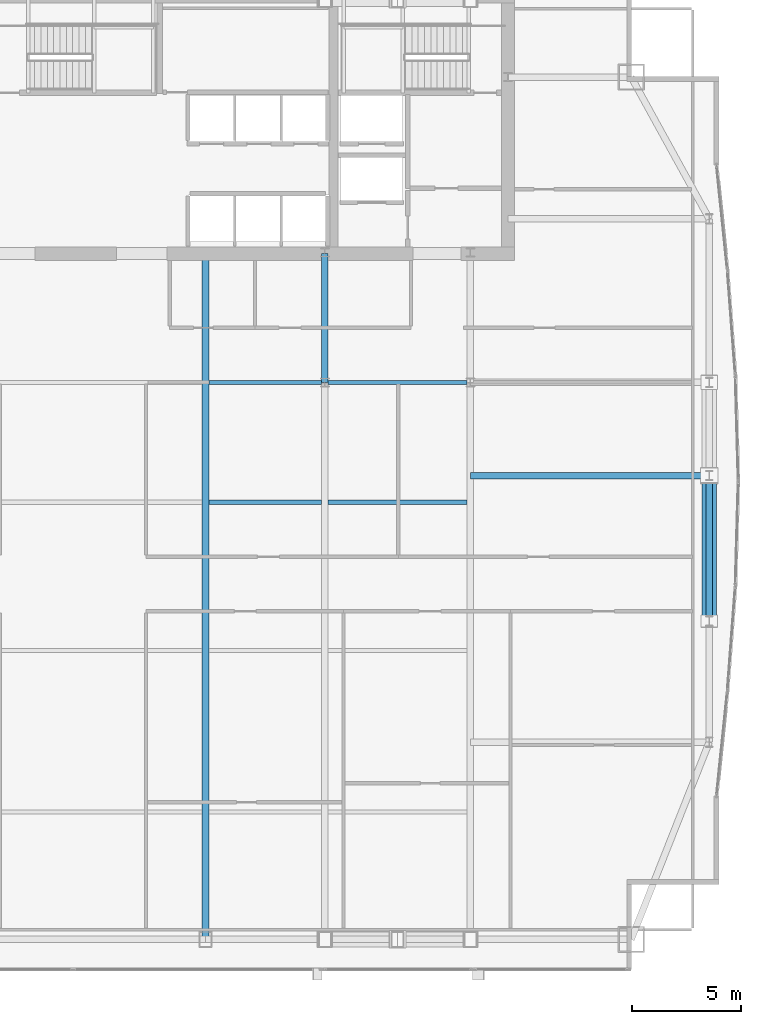
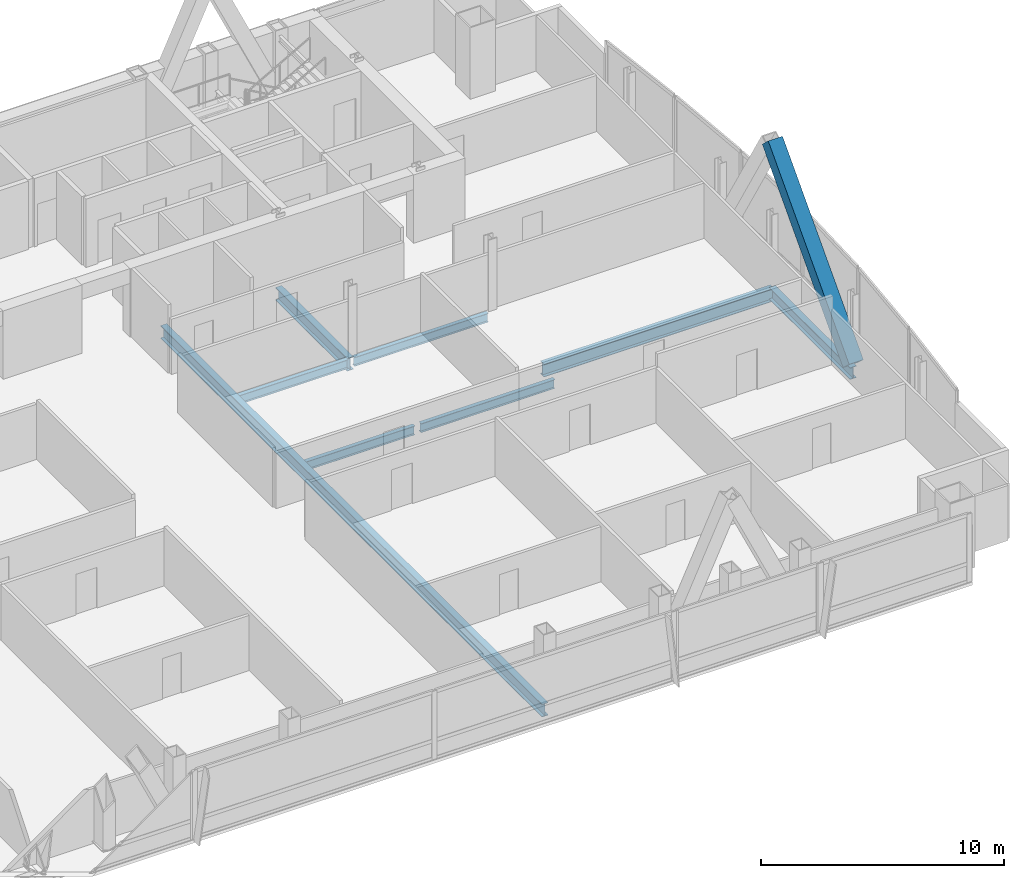
# One storey, part 19 of 32: 8 beams, 1 member.
"""IFC4 building model written with IfcOpenShell, lengths in metres."""

import ifcopenshell
import ifcopenshell.guid

model = None  # the IFC model being written
_history = None  # IfcOwnerHistory: only IFC2X3 demands one
_inside = {}  # id of a spatial element -> (the spatial element, [elements in it])
_under = {}  # id of a project, library or spatial element -> (it, [spatial elements below it])
_declared = {}  # id of a project -> (the project, [libraries it declares])
_typed = {}  # id of a type object -> (the type object, [elements of that type])
_made_of = {}  # id of a material, layer set ... -> (it, [elements and type objects made of it])


def new_model(schema):
    """Start an empty IFC model of exactly this schema.

    Asked for "IFC4X3", IfcOpenShell would pick the latest addendum, in which some entities
    have other attributes; the version numbers below select the first issue.
    IFC2X3 requires an IfcOwnerHistory on every rooted entity: one is made here for all.
    """
    global model, _history
    if schema == "IFC4X3":
        model = ifcopenshell.file(schema_version=(4, 3, 0, 0))
    else:
        model = ifcopenshell.file(schema=schema)
    _inside.clear()
    _under.clear()
    _declared.clear()
    _typed.clear()
    _made_of.clear()
    _history = None
    if model.schema == "IFC2X3":
        org = make("IfcOrganization", Name="unknown")
        user = make(
            "IfcPersonAndOrganization",
            ThePerson=make("IfcPerson", FamilyName="unknown"),
            TheOrganization=org,
        )
        app = make(
            "IfcApplication",
            ApplicationDeveloper=org,
            Version="unknown",
            ApplicationFullName="unknown",
            ApplicationIdentifier="unknown",
        )
        _history = make(
            "IfcOwnerHistory",
            OwningUser=user,
            OwningApplication=app,
            ChangeAction="ADDED",
            CreationDate=0,
        )
    return model


def make(cls, **values):
    """One entity of the class cls with the attributes given. An attribute that is None is left unset."""
    return model.create_entity(
        cls, **{name: value for name, value in values.items() if value is not None}
    )


def rooted(cls, **values):
    """An entity with a GlobalId (a new one), such as an element, a storey or a relation."""
    return make(cls, GlobalId=ifcopenshell.guid.new(), OwnerHistory=_history, **values)


def si_unit(unit_type, name, prefix=None):
    """IfcSIUnit, for example si_unit("LENGTHUNIT", "METRE", prefix="MILLI")."""
    return make("IfcSIUnit", UnitType=unit_type, Prefix=prefix, Name=name)


def assignment(units):
    """IfcUnitAssignment: the units of a project."""
    return None if units is None else make("IfcUnitAssignment", Units=units)


def point(xyz):
    """IfcCartesianPoint."""
    return None if xyz is None else make("IfcCartesianPoint", Coordinates=xyz)


def direction(xyz):
    """IfcDirection."""
    return None if xyz is None else make("IfcDirection", DirectionRatios=xyz)


def frame(location, z_axis=None, x_axis=None):
    """IfcAxis2Placement3D, a coordinate frame: its origin and axes. An axis left out is left unset."""
    return make(
        "IfcAxis2Placement3D",
        Location=point(location),
        Axis=direction(z_axis),
        RefDirection=direction(x_axis),
    )


def frame_2d(location, x_axis=None):
    """IfcAxis2Placement2D, a coordinate frame in the plane: its origin and x axis."""
    return make(
        "IfcAxis2Placement2D", Location=point(location), RefDirection=direction(x_axis)
    )


def origin():
    """The frame at (0, 0, 0) with its axes left unset."""
    return frame((0.0, 0.0, 0.0))


def origin_2d():
    """The frame at (0, 0) in the plane with its x axis left unset."""
    return frame_2d((0.0, 0.0))


def place(relative_to, where):
    """IfcLocalPlacement: puts the frame where relative to a parent placement (None: the world)."""
    return make(
        "IfcLocalPlacement", PlacementRelTo=relative_to, RelativePlacement=where
    )


def context(
    kind, dimensions, precision=None, world=None, true_north=None, identifier=None
):
    """IfcGeometricRepresentationContext, for example the 3D "Model" context."""
    return make(
        "IfcGeometricRepresentationContext",
        ContextIdentifier=identifier,
        ContextType=kind,
        CoordinateSpaceDimension=dimensions,
        Precision=precision,
        WorldCoordinateSystem=world,
        TrueNorth=true_north,
    )


def subcontext(parent, identifier, kind, view, scale=None):
    """IfcGeometricRepresentationSubContext, for example "Body" below "Model"."""
    return make(
        "IfcGeometricRepresentationSubContext",
        ContextIdentifier=identifier,
        ContextType=kind,
        ParentContext=parent,
        TargetScale=scale,
        TargetView=view,
    )


def project(units=None, contexts=None):
    """IfcProject with its units and contexts."""
    return rooted(
        "IfcProject",
        Name="project",
        RepresentationContexts=contexts,
        UnitsInContext=assignment(units),
    )


def spatial(cls, under=None, at=None, **own):
    """A site, building, storey or space (cls), placed at a placement, below another one or the project."""
    s = rooted(cls, ObjectPlacement=at, **own)
    if under is not None:
        _under.setdefault(under.id(), (under, []))[1].append(s)
    return s


def profile(cls, at=None, kind="AREA", **sizes):
    """A parametric profile (cls). Its sizes go by their IFC names, for example OverallWidth=200.0."""
    return make(cls, ProfileType=kind, Position=at, **sizes)


def hollow_rectangle(**sizes):
    """IfcRectangleHollowProfileDef."""
    return profile("IfcRectangleHollowProfileDef", **sizes)


def i_section(**sizes):
    """IfcIShapeProfileDef."""
    return profile("IfcIShapeProfileDef", **sizes)


def extrude(swept, where, along, depth):
    """IfcExtrudedAreaSolid: the profile swept, set in the frame where, extruded along a direction by depth."""
    return make(
        "IfcExtrudedAreaSolid",
        SweptArea=swept,
        Position=where,
        ExtrudedDirection=direction(along),
        Depth=depth,
    )


def shape(context_of_items, identifier, shape_type, items):
    """IfcShapeRepresentation: the items that make up one representation, for example the "Body"."""
    return make(
        "IfcShapeRepresentation",
        ContextOfItems=context_of_items,
        RepresentationIdentifier=identifier,
        RepresentationType=shape_type,
        Items=items,
    )


def material(Name=None, Category=None):
    """IfcMaterial."""
    return make("IfcMaterial", Name=Name, Category=Category)


def material_profile(
    of_material, cross_section, Name=None, Category=None, Priority=None
):
    """IfcMaterialProfile: a cross section and its material."""
    return make(
        "IfcMaterialProfile",
        Name=Name,
        Material=of_material,
        Profile=cross_section,
        Priority=Priority,
        Category=Category,
    )


def profile_set(profiles, Name=None, composite=None):
    """IfcMaterialProfileSet."""
    return make(
        "IfcMaterialProfileSet",
        Name=Name,
        MaterialProfiles=profiles,
        CompositeProfile=composite,
    )


def made_of(thing, what):
    """Note that an element or type object is made of a material, layer set ...; save() writes the relation."""
    if what is not None:
        _made_of.setdefault(what.id(), (what, []))[1].append(thing)
    return thing


def type_object(cls, material=None, **own):
    """A type object (cls), such as IfcWallType, which elements share."""
    return made_of(rooted(cls, **own), material)


def element(
    cls,
    number,
    at=None,
    inside=None,
    cuts=None,
    type_object=None,
    material=None,
    context=None,
    identifier="Body",
    shape_type=None,
    held_by="IfcProductDefinitionShape",
    body=None,
    shapes=None,
    **own,
):
    """One element of the class cls, such as IfcWall. Its Tag is "e" and its number.

    at: its placement. inside: the storey or other place that contains it. cuts: it is an
    opening in that element (IfcRelVoidsElement). A single representation is given by context,
    identifier, shape_type and body (its items); several are given by shapes. held_by: the class
    of the entity that holds the representations. save() writes the other relations.
    """
    e = rooted(cls, Tag="e%d" % number, ObjectPlacement=at, **own)
    if body is not None:
        shapes = [shape(context, identifier, shape_type, body)]
    if shapes is not None:
        e.Representation = make(held_by, Representations=shapes)
    if inside is not None:
        _inside.setdefault(inside.id(), (inside, []))[1].append(e)
    if cuts is not None:
        rooted(
            "IfcRelVoidsElement", RelatingBuildingElement=cuts, RelatedOpeningElement=e
        )
    if type_object is not None:
        _typed.setdefault(type_object.id(), (type_object, []))[1].append(e)
    return made_of(e, material)


def aggregate(whole, parts):
    """IfcRelAggregates: a whole, such as a stair, and the parts it consists of."""
    return rooted("IfcRelAggregates", RelatingObject=whole, RelatedObjects=parts)


def save(model, path):
    """Write the relations noted so far, then the file.

    IfcRelAggregates (storeys below a building ...), IfcRelContainedInSpatialStructure (elements
    in a storey), IfcRelDefinesByType, IfcRelAssociatesMaterial and IfcRelDeclares: one each for
    every whole, place, type object, material and project.
    """
    for whole, parts in _under.values():
        aggregate(whole, parts)
    for where, things in _inside.values():
        rooted(
            "IfcRelContainedInSpatialStructure",
            RelatedElements=things,
            RelatingStructure=where,
        )
    for kind, things in _typed.values():
        rooted("IfcRelDefinesByType", RelatedObjects=things, RelatingType=kind)
    for what, things in _made_of.values():
        rooted("IfcRelAssociatesMaterial", RelatedObjects=things, RelatingMaterial=what)
    for by, libraries in _declared.values():
        rooted("IfcRelDeclares", RelatingContext=by, RelatedDefinitions=libraries)
    model.write(path)


model = new_model("IFC4")

# Units and contexts
model_context = context("Model", 3, precision=1e-05, world=origin(), true_north=direction((0.0, 1.0)))
body_context = subcontext(model_context, "Body", "Model", "MODEL_VIEW")
ifc_project = project(units=[si_unit("LENGTHUNIT", "METRE"), si_unit("AREAUNIT", "SQUARE_METRE"), si_unit("VOLUMEUNIT", "CUBIC_METRE"), si_unit("PLANEANGLEUNIT", "RADIAN"), si_unit("MASSUNIT", "GRAM", prefix="KILO")], contexts=[model_context])

# Site, building, storey
site_placement = place(None, origin())
site = spatial("IfcSite", under=ifc_project, at=site_placement, CompositionType="ELEMENT")
building_placement = place(site_placement, origin())
building = spatial("IfcBuilding", under=site, at=building_placement, Name="Khoronbel Lancet Exchange", CompositionType="ELEMENT")
storey_placement = place(building_placement, frame((0.0, 0.0, 231.800048828125)))
storey = spatial("IfcBuildingStorey", under=building, at=storey_placement, Name="L59", CompositionType="ELEMENT", Elevation=231.800048828125)

# Beams
ifc_material_1 = material(Name="Steel S355", Category="steel")
ifc_material_profile_1 = material_profile(ifc_material_1, i_section(OverallWidth=0.300048828125, OverallDepth=0.64990234375, WebThickness=0.01611328125, FlangeThickness=0.031005859375, at=origin_2d()), Name="HEB 650")
ifc_profile_set_1 = profile_set([ifc_material_profile_1], Name="Steel S355")
beam_type_1 = type_object("IfcBeamType", Name="BM-BG4", PredefinedType="BEAM", material=ifc_profile_set_1)
beam_1_placement = place(storey_placement, frame((42.52490234375, 10.14990234375, -0.485107421875), z_axis=(0.0, 1.0, 0.0), x_axis=(-1.0, 0.0, 0.0)))
element("IfcBeam", 1, at=beam_1_placement, inside=storey, type_object=beam_type_1, Name="Level L59 primary floor girder G4", PredefinedType="BEAM", context=body_context, shape_type="SweptSolid", body=[
    extrude(i_section(OverallWidth=0.300048828125, OverallDepth=0.64990234375, WebThickness=0.01611328125, FlangeThickness=0.031005859375, at=origin_2d()), origin(), (0.0, 0.0, 1.0), 31.4501953125),
])
beam_2_placement = place(storey_placement, frame((48.0, 35.699951171875, -0.485107421875), z_axis=(0.0, 1.0, 0.0), x_axis=(-1.0, 0.0, 0.0)))
element("IfcBeam", 2, at=beam_2_placement, inside=storey, type_object=beam_type_1, Name="Level L59 spine tie girder GN5", PredefinedType="BEAM", context=body_context, shape_type="SweptSolid", body=[
    extrude(i_section(OverallWidth=0.300048828125, OverallDepth=0.64990234375, WebThickness=0.01611328125, FlangeThickness=0.031005859375, at=origin_2d()), origin(), (0.0, 0.0, 1.0), 5.900146484375),
])
beam_3_placement = place(storey_placement, frame((54.675048828125, 31.425048828125, -0.485107421875), z_axis=(1.0, 0.0, 0.0), x_axis=(0.0, 1.0, 0.0)))
element("IfcBeam", 3, at=beam_3_placement, inside=storey, type_object=beam_type_1, Name="Level L59 east lens tie girder LG2E", PredefinedType="BEAM", context=body_context, shape_type="SweptSolid", body=[
    extrude(i_section(OverallWidth=0.300048828125, OverallDepth=0.64990234375, WebThickness=0.01611328125, FlangeThickness=0.031005859375, at=origin_2d()), origin(), (0.0, 0.0, 1.0), 10.954833984375),
])
ifc_material_profile_2 = material_profile(ifc_material_1, i_section(OverallWidth=0.18994140625, OverallDepth=0.449951171875, WebThickness=0.009521484375, FlangeThickness=0.0146484375, at=origin_2d()), Name="IPE 450")
ifc_profile_set_2 = profile_set([ifc_material_profile_2], Name="Steel S355")
beam_type_2 = type_object("IfcBeamType", Name="BM-BJ4", PredefinedType="JOIST", material=ifc_profile_set_2)
beam_4_placement = place(storey_placement, frame((42.675048828125, 30.199951171875, -0.385009765625), z_axis=(1.0, 0.0, 0.0), x_axis=(0.0, 1.0, 0.0)))
element("IfcBeam", 4, at=beam_4_placement, inside=storey, type_object=beam_type_2, Name="Level L59 secondary composite joist J14", PredefinedType="JOIST", context=body_context, shape_type="SweptSolid", body=[
    extrude(i_section(OverallWidth=0.18994140625, OverallDepth=0.449951171875, WebThickness=0.009521484375, FlangeThickness=0.0146484375, at=origin_2d()), origin(), (0.0, 0.0, 1.0), 5.175048828125),
])
beam_5_placement = place(storey_placement, frame((48.14990234375, 30.199951171875, -0.385009765625), z_axis=(1.0, 0.0, 0.0), x_axis=(0.0, 1.0, 0.0)))
element("IfcBeam", 5, at=beam_5_placement, inside=storey, type_object=beam_type_2, Name="Level L59 secondary composite joist J15", PredefinedType="JOIST", context=body_context, shape_type="SweptSolid", body=[
    extrude(i_section(OverallWidth=0.18994140625, OverallDepth=0.449951171875, WebThickness=0.009521484375, FlangeThickness=0.0146484375, at=origin_2d()), origin(), (0.0, 0.0, 1.0), 6.375),
])
beam_6_placement = place(storey_placement, frame((42.675048828125, 35.699951171875, -0.385009765625), z_axis=(1.0, 0.0, 0.0), x_axis=(0.0, 1.0, 0.0)))
element("IfcBeam", 6, at=beam_6_placement, inside=storey, type_object=beam_type_2, Name="Level L59 secondary composite joist J19", PredefinedType="JOIST", context=body_context, shape_type="SweptSolid", body=[
    extrude(i_section(OverallWidth=0.18994140625, OverallDepth=0.449951171875, WebThickness=0.009521484375, FlangeThickness=0.0146484375, at=origin_2d()), origin(), (0.0, 0.0, 1.0), 5.175048828125),
])
beam_7_placement = place(storey_placement, frame((48.14990234375, 35.699951171875, -0.385009765625), z_axis=(1.0, 0.0, 0.0), x_axis=(0.0, 1.0, 0.0)))
element("IfcBeam", 7, at=beam_7_placement, inside=storey, type_object=beam_type_2, Name="Level L59 secondary composite joist J20", PredefinedType="JOIST", context=body_context, shape_type="SweptSolid", body=[
    extrude(i_section(OverallWidth=0.18994140625, OverallDepth=0.449951171875, WebThickness=0.009521484375, FlangeThickness=0.0146484375, at=origin_2d()), origin(), (0.0, 0.0, 1.0), 6.375),
])
ifc_material_profile_3 = material_profile(ifc_material_1, i_section(OverallWidth=0.300048828125, OverallDepth=0.60009765625, WebThickness=0.015380859375, FlangeThickness=0.030029296875, at=origin_2d()), Name="HEB 600")
ifc_profile_set_3 = profile_set([ifc_material_profile_3], Name="Steel S355")
beam_type_3 = type_object("IfcBeamType", Name="BM-BSP2", PredefinedType="SPANDREL", material=ifc_profile_set_3)
beam_8_placement = place(storey_placement, frame((65.6298828125, 24.75, -0.4599609375), z_axis=(0.0, 1.0, 0.0), x_axis=(-1.0, 0.0, 0.0)))
element("IfcBeam", 8, at=beam_8_placement, inside=storey, type_object=beam_type_3, Name="Level L59 perimeter spandrel beam SP12", PredefinedType="SPANDREL", context=body_context, shape_type="SweptSolid", body=[
    extrude(i_section(OverallWidth=0.300048828125, OverallDepth=0.60009765625, WebThickness=0.015380859375, FlangeThickness=0.030029296875, at=origin_2d()), origin(), (0.0, 0.0, 1.0), 6.675048828125),
])

# Member
ifc_material_2 = material(Name="Steel S460", Category="steel")
ifc_material_profile_4 = material_profile(ifc_material_2, hollow_rectangle(XDim=0.679931640625, YDim=0.679931640625, WallThickness=0.044921875, at=origin_2d()), Name="BOX 680x680x45")
ifc_profile_set_4 = profile_set([ifc_material_profile_4], Name="Steel S460")
member_type = type_object("IfcMemberType", Name="MEM-MB3", PredefinedType="BRACE", material=ifc_profile_set_4)
member_placement = place(storey_placement, frame((65.6298828125, 24.75, 0.0), z_axis=(0.0, 0.679870035637, 0.733332622105), x_axis=(-1.0, 0.0, 0.0)))
element("IfcMember", 9, at=member_placement, inside=storey, type_object=member_type, Name="Perimeter lancet brace tier 20 E-P-L", PredefinedType="BRACE", context=body_context, shape_type="SweptSolid", body=[
    extrude(hollow_rectangle(XDim=0.679931640625, YDim=0.679931640625, WallThickness=0.044921875, at=origin_2d()), origin(), (0.0, 0.0, 1.0), 9.818115234375),
])

save(model, "model.ifc")
